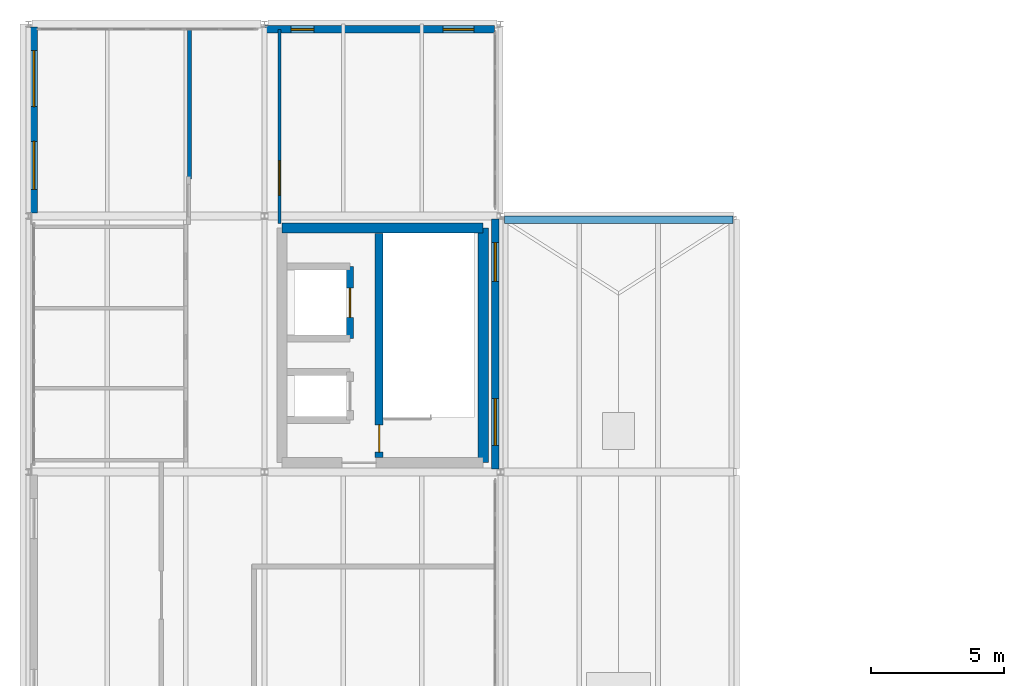
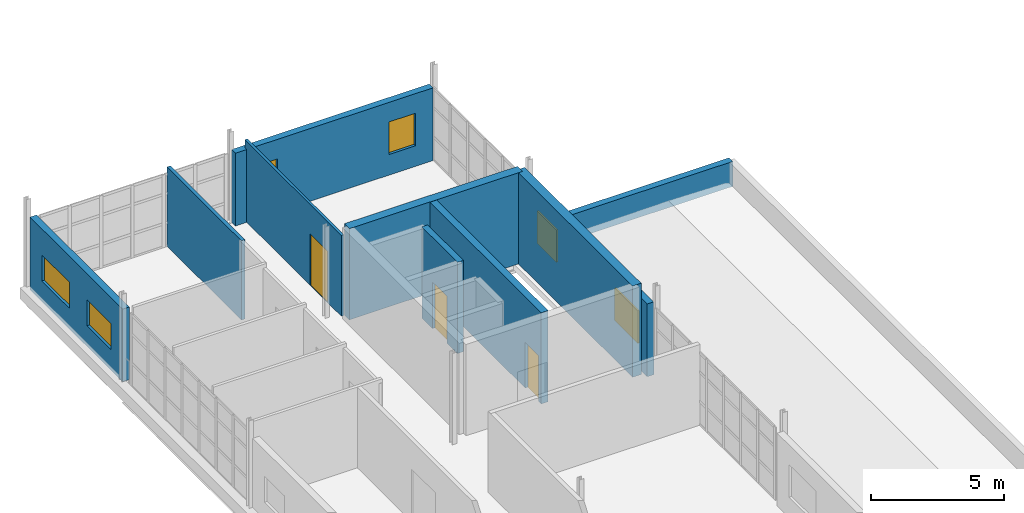
# One storey, part 14 of 16: 10 walls, 6 windows, 3 doors, 9 openings.
"""IFC4 building model written with IfcOpenShell, lengths in metres."""

from ifc_helpers import new_model, si_unit, direction, frame, frame_2d, origin, place, context, subcontext, project, spatial, rectangle, extrude, material, layer, layer_set, type_object, element, fill, save


model = new_model("IFC4")

# Units and contexts
model_context = context("Model", 3, precision=1e-05, world=origin(), true_north=direction((0.0, 1.0)))
body_context = subcontext(model_context, "Body", "Model", "MODEL_VIEW")
ifc_project = project(units=[si_unit("LENGTHUNIT", "METRE"), si_unit("AREAUNIT", "SQUARE_METRE"), si_unit("VOLUMEUNIT", "CUBIC_METRE"), si_unit("PLANEANGLEUNIT", "RADIAN"), si_unit("MASSUNIT", "GRAM", prefix="KILO")], contexts=[model_context])

# Site, building, storey
site_placement = place(None, origin())
site = spatial("IfcSite", under=ifc_project, at=site_placement, CompositionType="ELEMENT")
building_placement = place(site_placement, origin())
building = spatial("IfcBuilding", under=site, at=building_placement, Name="Yeouljin Market Hall", CompositionType="ELEMENT")
storey_placement = place(building_placement, frame((0.0, 0.0, 19.199951171875)))
storey = spatial("IfcBuildingStorey", under=building, at=storey_placement, Name="L04", CompositionType="ELEMENT", Elevation=19.199951171875)

# Wall
ifc_material_1 = material(Name="Gypsum Board Acoustic Partition")
ifc_layer_1 = layer(ifc_material_1, 0.14990234375)
ifc_layer_set_1 = layer_set([ifc_layer_1], Name="Gypsum Board Acoustic Partition")
wall_type_1 = type_object("IfcWallType", Name="Part_Classroom_150", PredefinedType="PARTITIONING", material=ifc_layer_set_1)
wall_1_placement = place(storey_placement, frame((6.0400390625, 30.18701171875, 0.0), z_axis=(0.0, 0.0, 1.0), x_axis=(0.0, 1.0, 0.0)))
element("IfcWall", 1, at=wall_1_placement, inside=storey, type_object=wall_type_1, Name="Interior partition PART-L04-0184", PredefinedType="PARTITIONING", context=body_context, shape_type="SweptSolid", body=[
    extrude(rectangle(XDim=5.613037109375, YDim=0.14990234375, at=frame_2d((2.806640625, 0.0))), origin(), (0.0, 0.0, 1.0), 3.650146484375),
])

# Wall, opening, door
ifc_material_2 = material(Name="Gypsum Board Partition")
ifc_layer_2 = layer(ifc_material_2, 0.110107421875)
ifc_layer_set_2 = layer_set([ifc_layer_2], Name="Gypsum Board Partition")
wall_type_2 = type_object("IfcWallType", Name="Part_Office_110", PredefinedType="PARTITIONING", material=ifc_layer_set_2)
wall_2_placement = place(storey_placement, frame((9.409912109375, 35.800048828125, 0.0), z_axis=(0.0, 0.0, 1.0), x_axis=(0.0, -1.0, 0.0)))
wall_2 = element("IfcWall", 2, at=wall_2_placement, inside=storey, type_object=wall_type_2, Name="Interior partition PART-L04-0185", PredefinedType="PARTITIONING", context=body_context, shape_type="SweptSolid", body=[
    extrude(rectangle(XDim=7.280029296875, YDim=0.110107421875, at=frame_2d((3.64013671875, 0.0))), origin(), (0.0, 0.0, 1.0), 3.719970703125),
])
opening_1_placement = place(wall_2_placement, frame((4.928955078125, 0.0, 0.0)))
opening_1 = element("IfcOpeningElement", 3, at=opening_1_placement, cuts=wall_2, Name="Opening D-L04-060", PredefinedType="OPENING", context=body_context, shape_type="SweptSolid", body=[
    extrude(rectangle(XDim=1.300048828125, YDim=2.360107421875, at=frame_2d((0.64990234375, 1.18017578125))), frame((0.0, 0.06494140625, 0.0), z_axis=(0.0, -1.0, 0.0), x_axis=(1.0, 0.0, 0.0)), (0.0, 0.0, 1.0), 0.130126953125),
])
ifc_material_3 = material(Name="Acoustic Timber Veneer", Category="wood")
door_type_1 = type_object("IfcDoorType", Name="DT-ID130T", OperationType="NOTDEFINED", PredefinedType="DOOR", material=ifc_material_3)
door_1_placement = place(opening_1_placement, origin())
door_1 = element("IfcDoor", 4, at=door_1_placement, inside=storey, type_object=door_type_1, Name="Interior door D-L04-060 (Market Guild Boardroom)", OperationType="SINGLE_SWING_RIGHT", OverallHeight=2.360107421875, OverallWidth=1.300048828125, PredefinedType="DOOR", context=body_context, shape_type="SweptSolid", body=[
    extrude(rectangle(XDim=1.300048828125, YDim=2.360107421875, at=frame_2d((0.64990234375, 1.18017578125))), frame((0.0, 0.02490234375, 0.0), z_axis=(0.0, -1.0, 0.0), x_axis=(1.0, 0.0, 0.0)), (0.0, 0.0, 1.0), 0.050048828125),
])
fill(opening_1, door_1)

ifc_material_4 = material(Name="Concrete C35/45", Category="concrete")
ifc_layer_3 = layer(ifc_material_4, 0.260009765625)
ifc_layer_set_3 = layer_set([ifc_layer_3], Name="Concrete C35/45")
wall_type_3 = type_object("IfcWallType", Name="Wall_Compartment_260", PredefinedType="SHEAR", material=ifc_layer_set_3)
wall_3_placement = place(storey_placement, frame((12.054931640625, 24.199951171875, 0.0), z_axis=(0.0, 0.0, 1.0), x_axis=(0.0, 1.0, 0.0)))
wall_3 = element("IfcWall", 5, at=wall_3_placement, inside=storey, type_object=wall_type_3, Name="Lift LS-01 hoistway front wall (L04)", PredefinedType="SHEAR", context=body_context, shape_type="SweptSolid", body=[
    extrude(rectangle(XDim=2.699951171875, YDim=0.260009765625, at=frame_2d((1.35009765625, 0.0))), origin(), (0.0, 0.0, 1.0), 4.199951171875),
])
opening_2_placement = place(wall_3_placement, frame((0.800048828125, 0.0, 0.0)))
opening_2 = element("IfcOpeningElement", 6, at=opening_2_placement, cuts=wall_3, Name="Opening LD-LS-01-L04", PredefinedType="OPENING", context=body_context, shape_type="SweptSolid", body=[
    extrude(rectangle(XDim=1.10009765625, YDim=2.14990234375, at=frame_2d((0.550048828125, 1.074951171875))), frame((0.0, 0.139892578125, 0.0), z_axis=(0.0, -1.0, 0.0), x_axis=(1.0, 0.0, 0.0)), (0.0, 0.0, 1.0), 0.280029296875),
])
ifc_material_5 = material(Name="Brushed Stainless Steel", Category="steel")
door_type_2 = type_object("IfcDoorType", Name="LD-110", OperationType="SLIDING_TO_LEFT", PredefinedType="DOOR", material=ifc_material_5)
door_2_placement = place(opening_2_placement, origin())
door_2 = element("IfcDoor", 7, at=door_2_placement, inside=storey, type_object=door_type_2, Name="Lift landing sliding door LD-LS-01-L04", OperationType="SLIDING_TO_LEFT", OverallHeight=2.14990234375, OverallWidth=1.10009765625, PredefinedType="DOOR", context=body_context, shape_type="SweptSolid", body=[
    extrude(rectangle(XDim=1.10009765625, YDim=2.14990234375, at=frame_2d((0.550048828125, 1.074951171875))), frame((0.0, 0.02490234375, 0.0), z_axis=(0.0, -1.0, 0.0), x_axis=(1.0, 0.0, 0.0)), (0.0, 0.0, 1.0), 0.050048828125),
])
fill(opening_2, door_2)

# Walls
ifc_material_6 = material(Name="Concrete C35/45", Category="concrete")
ifc_layer_4 = layer(ifc_material_6, 0.3798828125)
ifc_layer_set_4 = layer_set([ifc_layer_4], Name="Concrete C35/45")
wall_type_4 = type_object("IfcWallType", Name="Wall_CoreShear_380", PredefinedType="SHEAR", material=ifc_layer_set_4)
wall_4_placement = place(storey_placement, frame((17.050048828125, 28.35009765625, 0.0), z_axis=(0.0, 0.0, 1.0), x_axis=(-1.0, 0.0, 0.0)))
element("IfcWall", 8, at=wall_4_placement, inside=storey, type_object=wall_type_4, Name="Core C1 north shear wall (L04)", PredefinedType="SHEAR", context=body_context, shape_type="SweptSolid", body=[
    extrude(rectangle(XDim=7.550048828125, YDim=0.3798828125, at=frame_2d((3.77490234375, 0.0))), origin(), (0.0, 0.0, 1.0), 4.199951171875),
])
wall_5_placement = place(storey_placement, frame((17.050048828125, 19.550048828125, 0.0), z_axis=(0.0, 0.0, 1.0), x_axis=(0.0, 1.0, 0.0)))
element("IfcWall", 9, at=wall_5_placement, inside=storey, type_object=wall_type_4, Name="Core C1 east shear wall (L04)", PredefinedType="SHEAR", context=body_context, shape_type="SweptSolid", body=[
    extrude(rectangle(XDim=8.800048828125, YDim=0.3798828125, at=frame_2d((4.39990234375, 0.0))), origin(), (0.0, 0.0, 1.0), 4.199951171875),
])

# Wall, openings, windows
ifc_material_7 = material(Name="Clinker Brick Masonry F2-S2", Category="masonry")
ifc_layer_5 = layer(ifc_material_7, 0.2900390625)
ifc_layer_set_5 = layer_set([ifc_layer_5], Name="Clinker Brick Masonry F2-S2")
wall_type_5 = type_object("IfcWallType", Name="Wall_Ext_GableBrick_290", PredefinedType="SOLIDWALL", material=ifc_layer_set_5)
wall_6_placement = place(storey_placement, frame((0.199951171875, 28.906005859375, 0.0), z_axis=(0.0, 0.0, 1.0), x_axis=(0.0, 1.0, 0.0)))
wall_6 = element("IfcWall", 10, at=wall_6_placement, inside=storey, type_object=wall_type_5, Name="Exterior wall WE-L04-B06", PredefinedType="SOLIDWALL", context=body_context, shape_type="SweptSolid", body=[
    extrude(rectangle(XDim=6.986083984375, YDim=0.2900390625, at=frame_2d((3.4931640625, 0.0))), origin(), (0.0, 0.0, 1.0), 3.35009765625),
])
opening_3_placement = place(wall_6_placement, frame((0.89404296875, 0.0, 0.949951171875)))
opening_3 = element("IfcOpeningElement", 11, at=opening_3_placement, cuts=wall_6, Name="Opening WN-23", PredefinedType="OPENING", context=body_context, shape_type="SweptSolid", body=[
    extrude(rectangle(XDim=1.800048828125, YDim=1.199951171875, at=frame_2d((0.89990234375, 0.60009765625))), frame((0.0, 0.155029296875, 0.0), z_axis=(0.0, -1.0, 0.0), x_axis=(1.0, 0.0, 0.0)), (0.0, 0.0, 1.0), 0.31005859375),
])
opening_4_placement = place(wall_6_placement, frame((3.993896484375, 0.0, 0.949951171875)))
opening_4 = element("IfcOpeningElement", 12, at=opening_4_placement, cuts=wall_6, Name="Opening WN-24", PredefinedType="OPENING", context=body_context, shape_type="SweptSolid", body=[
    extrude(rectangle(XDim=2.10009765625, YDim=1.199951171875, at=frame_2d((1.050048828125, 0.60009765625))), frame((0.0, 0.155029296875, 0.0), z_axis=(0.0, -1.0, 0.0), x_axis=(1.0, 0.0, 0.0)), (0.0, 0.0, 1.0), 0.31005859375),
])
ifc_material_8 = material(Name="Low-E Insulated Glass", Category="glass")
window_type_1 = type_object("IfcWindowType", Name="Win_Ladder_1800x1200", PartitioningType="TRIPLE_PANEL_VERTICAL", PredefinedType="WINDOW", material=ifc_material_8)
window_1_placement = place(opening_3_placement, origin())
window_1 = element("IfcWindow", 13, at=window_1_placement, inside=storey, type_object=window_type_1, Name="Exterior window WIN-L04-B06A", OverallHeight=1.199951171875, OverallWidth=1.800048828125, PartitioningType="SINGLE_PANEL", PredefinedType="WINDOW", context=body_context, shape_type="SweptSolid", body=[
    extrude(rectangle(XDim=1.800048828125, YDim=1.199951171875, at=frame_2d((0.89990234375, 0.60009765625))), frame((0.0, 0.030029296875, 0.0), z_axis=(0.0, -1.0, 0.0), x_axis=(1.0, 0.0, 0.0)), (0.0, 0.0, 1.0), 0.06005859375),
])
fill(opening_3, window_1)
ifc_material_9 = material(Name="Low-E Insulated Glass", Category="glass")
window_type_2 = type_object("IfcWindowType", Name="Win_Ladder_2100x1200", PartitioningType="TRIPLE_PANEL_VERTICAL", PredefinedType="WINDOW", material=ifc_material_9)
window_2_placement = place(opening_4_placement, origin())
window_2 = element("IfcWindow", 14, at=window_2_placement, inside=storey, type_object=window_type_2, Name="Exterior window WIN-L04-B06B", OverallHeight=1.199951171875, OverallWidth=2.10009765625, PartitioningType="SINGLE_PANEL", PredefinedType="WINDOW", context=body_context, shape_type="SweptSolid", body=[
    extrude(rectangle(XDim=2.10009765625, YDim=1.199951171875, at=frame_2d((1.050048828125, 0.60009765625))), frame((0.0, 0.030029296875, 0.0), z_axis=(0.0, -1.0, 0.0), x_axis=(1.0, 0.0, 0.0)), (0.0, 0.0, 1.0), 0.06005859375),
])
fill(opening_4, window_2)

wall_7_placement = place(storey_placement, frame((8.860107421875, 35.800048828125, 0.0), z_axis=(0.0, 0.0, 1.0), x_axis=(1.0, 0.0, 0.0)))
wall_7 = element("IfcWall", 15, at=wall_7_placement, inside=storey, type_object=wall_type_5, Name="Exterior wall WE-L04-B08", PredefinedType="SOLIDWALL", context=body_context, shape_type="SweptSolid", body=[
    extrude(rectangle(XDim=8.61181640625, YDim=0.2900390625, at=frame_2d((4.305908203125, 0.0))), origin(), (0.0, 0.0, 1.0), 3.35009765625),
])
opening_5_placement = place(wall_7_placement, frame((0.989990234375, 0.0, 0.949951171875)))
opening_5 = element("IfcOpeningElement", 16, at=opening_5_placement, cuts=wall_7, Name="Opening WN-31", PredefinedType="OPENING", context=body_context, shape_type="SweptSolid", body=[
    extrude(rectangle(XDim=0.85009765625, YDim=1.5, at=frame_2d((0.425048828125, 0.75))), frame((0.0, 0.155029296875, 0.0), z_axis=(0.0, -1.0, 0.0), x_axis=(1.0, 0.0, 0.0)), (0.0, 0.0, 1.0), 0.31005859375),
])
opening_6_placement = place(wall_7_placement, frame((6.68994140625, 0.0, 0.949951171875)))
opening_6 = element("IfcOpeningElement", 17, at=opening_6_placement, cuts=wall_7, Name="Opening WN-32", PredefinedType="OPENING", context=body_context, shape_type="SweptSolid", body=[
    extrude(rectangle(XDim=1.14990234375, YDim=1.5, at=frame_2d((0.574951171875, 0.75))), frame((0.0, 0.155029296875, 0.0), z_axis=(0.0, -1.0, 0.0), x_axis=(1.0, 0.0, 0.0)), (0.0, 0.0, 1.0), 0.31005859375),
])
ifc_material_10 = material(Name="Low-E Insulated Glass", Category="glass")
window_type_3 = type_object("IfcWindowType", Name="Win_Ladder_1150x1500", PartitioningType="DOUBLE_PANEL_HORIZONTAL", PredefinedType="WINDOW", material=ifc_material_10)
window_3_placement = place(opening_6_placement, origin())
window_3 = element("IfcWindow", 18, at=window_3_placement, inside=storey, type_object=window_type_3, Name="Exterior window WIN-L04-B08B", OverallHeight=1.5, OverallWidth=1.14990234375, PartitioningType="SINGLE_PANEL", PredefinedType="WINDOW", context=body_context, shape_type="SweptSolid", body=[
    extrude(rectangle(XDim=1.14990234375, YDim=1.5, at=frame_2d((0.574951171875, 0.75))), frame((0.0, 0.030029296875, 0.0), z_axis=(0.0, -1.0, 0.0), x_axis=(1.0, 0.0, 0.0)), (0.0, 0.0, 1.0), 0.06005859375),
])
fill(opening_6, window_3)
ifc_material_11 = material(Name="Low-E Insulated Glass", Category="glass")
window_type_4 = type_object("IfcWindowType", Name="Win_Ladder_850x1500", PartitioningType="DOUBLE_PANEL_HORIZONTAL", PredefinedType="WINDOW", material=ifc_material_11)
window_4_placement = place(opening_5_placement, origin())
window_4 = element("IfcWindow", 19, at=window_4_placement, inside=storey, type_object=window_type_4, Name="Exterior window WIN-L04-B08A", OverallHeight=1.5, OverallWidth=0.85009765625, PartitioningType="SINGLE_PANEL", PredefinedType="WINDOW", context=body_context, shape_type="SweptSolid", body=[
    extrude(rectangle(XDim=0.85009765625, YDim=1.5, at=frame_2d((0.425048828125, 0.75))), frame((0.0, 0.030029296875, 0.0), z_axis=(0.0, -1.0, 0.0), x_axis=(1.0, 0.0, 0.0)), (0.0, 0.0, 1.0), 0.06005859375),
])
fill(opening_5, window_4)

wall_8_placement = place(storey_placement, frame((17.5, 28.694091796875, 0.0), z_axis=(0.0, 0.0, 1.0), x_axis=(0.0, -1.0, 0.0)))
wall_8 = element("IfcWall", 20, at=wall_8_placement, inside=storey, type_object=wall_type_5, Name="Exterior wall WE-L04-B10", PredefinedType="SOLIDWALL", context=body_context, shape_type="SweptSolid", body=[
    extrude(rectangle(XDim=9.38818359375, YDim=0.2900390625, at=frame_2d((4.694091796875, 0.0))), origin(), (0.0, 0.0, 1.0), 3.35009765625),
])
opening_7_placement = place(wall_8_placement, frame((0.89404296875, 0.0, 0.949951171875)))
opening_7 = element("IfcOpeningElement", 21, at=opening_7_placement, cuts=wall_8, Name="Opening WN-33", PredefinedType="OPENING", context=body_context, shape_type="SweptSolid", body=[
    extrude(rectangle(XDim=1.449951171875, YDim=1.5, at=frame_2d((0.72509765625, 0.75))), frame((0.0, 0.155029296875, 0.0), z_axis=(0.0, -1.0, 0.0), x_axis=(1.0, 0.0, 0.0)), (0.0, 0.0, 1.0), 0.31005859375),
])
opening_8_placement = place(wall_8_placement, frame((6.743896484375, 0.0, 0.949951171875)))
opening_8 = element("IfcOpeningElement", 22, at=opening_8_placement, cuts=wall_8, Name="Opening WN-34", PredefinedType="OPENING", context=body_context, shape_type="SweptSolid", body=[
    extrude(rectangle(XDim=1.75, YDim=1.5, at=frame_2d((0.875, 0.75))), frame((0.0, 0.155029296875, 0.0), z_axis=(0.0, -1.0, 0.0), x_axis=(1.0, 0.0, 0.0)), (0.0, 0.0, 1.0), 0.31005859375),
])
ifc_material_12 = material(Name="Low-E Insulated Glass", Category="glass")
window_type_5 = type_object("IfcWindowType", Name="Win_Ladder_1450x1500", PartitioningType="DOUBLE_PANEL_HORIZONTAL", PredefinedType="WINDOW", material=ifc_material_12)
window_5_placement = place(opening_7_placement, origin())
window_5 = element("IfcWindow", 23, at=window_5_placement, inside=storey, type_object=window_type_5, Name="Exterior window WIN-L04-B10A", OverallHeight=1.5, OverallWidth=1.449951171875, PartitioningType="SINGLE_PANEL", PredefinedType="WINDOW", context=body_context, shape_type="SweptSolid", body=[
    extrude(rectangle(XDim=1.449951171875, YDim=1.5, at=frame_2d((0.72509765625, 0.75))), frame((0.0, 0.030029296875, 0.0), z_axis=(0.0, -1.0, 0.0), x_axis=(1.0, 0.0, 0.0)), (0.0, 0.0, 1.0), 0.06005859375),
])
fill(opening_7, window_5)
ifc_material_13 = material(Name="Low-E Insulated Glass", Category="glass")
window_type_6 = type_object("IfcWindowType", Name="Win_Ladder_1750x1500", PartitioningType="DOUBLE_PANEL_HORIZONTAL", PredefinedType="WINDOW", material=ifc_material_13)
window_6_placement = place(opening_8_placement, origin())
window_6 = element("IfcWindow", 24, at=window_6_placement, inside=storey, type_object=window_type_6, Name="Exterior window WIN-L04-B10B", OverallHeight=1.5, OverallWidth=1.75, PartitioningType="SINGLE_PANEL", PredefinedType="WINDOW", context=body_context, shape_type="SweptSolid", body=[
    extrude(rectangle(XDim=1.75, YDim=1.5, at=frame_2d((0.875, 0.75))), frame((0.0, 0.030029296875, 0.0), z_axis=(0.0, -1.0, 0.0), x_axis=(1.0, 0.0, 0.0)), (0.0, 0.0, 1.0), 0.06005859375),
])
fill(opening_8, window_6)

# Wall
ifc_material_14 = material(Name="Clinker Brick Masonry F2-S2", Category="masonry")
ifc_layer_6 = layer(ifc_material_14, 0.280029296875)
ifc_layer_set_6 = layer_set([ifc_layer_6], Name="Clinker Brick Masonry F2-S2")
wall_type_6 = type_object("IfcWallType", Name="Wall_Parapet_Clinker_280", PredefinedType="PARAPET", material=ifc_layer_set_6)
wall_9_placement = place(storey_placement, frame((26.409912109375, 28.659912109375, 0.010009765625), z_axis=(0.0, 0.0, 1.0), x_axis=(-1.0, 0.0, 0.0)))
element("IfcWall", 25, at=wall_9_placement, inside=storey, type_object=wall_type_6, Name="Roof parapet RSLB-V2-L03S-3", PredefinedType="PARAPET", context=body_context, shape_type="SweptSolid", body=[
    extrude(rectangle(XDim=8.56982421875, YDim=0.280029296875, at=frame_2d((4.284912109375, 0.0))), origin(), (0.0, 0.0, 1.0), 1.150146484375),
])

# Wall, opening, door
ifc_material_15 = material(Name="Concrete C35/45", Category="concrete")
ifc_layer_7 = layer(ifc_material_15, 0.300048828125)
ifc_layer_set_7 = layer_set([ifc_layer_7], Name="Concrete C35/45")
wall_type_7 = type_object("IfcWallType", Name="Wall_ShaftShear_300", PredefinedType="SHEAR", material=ifc_layer_set_7)
wall_10_placement = place(storey_placement, frame((13.14990234375, 19.75, 0.0), z_axis=(0.0, 0.0, 1.0), x_axis=(0.0, 1.0, 0.0)))
wall_10 = element("IfcWall", 26, at=wall_10_placement, inside=storey, type_object=wall_type_7, Name="Core C1 stairwell divider wall (L04)", PredefinedType="SHEAR", context=body_context, shape_type="SweptSolid", body=[
    extrude(rectangle(XDim=8.39990234375, YDim=0.300048828125, at=frame_2d((4.199951171875, 0.0))), origin(), (0.0, 0.0, 1.0), 4.199951171875),
])
opening_9_placement = place(wall_10_placement, frame((0.199951171875, 0.0, 0.0)))
opening_9 = element("IfcOpeningElement", 27, at=opening_9_placement, cuts=wall_10, Name="Opening SD-C1-L04", PredefinedType="OPENING", context=body_context, shape_type="SweptSolid", body=[
    extrude(rectangle(XDim=1.02001953125, YDim=2.10009765625, at=frame_2d((0.510009765625, 1.050048828125))), frame((0.0, 0.159912109375, 0.0), z_axis=(0.0, -1.0, 0.0), x_axis=(1.0, 0.0, 0.0)), (0.0, 0.0, 1.0), 0.320068359375),
])
ifc_material_16 = material(Name="Painted Fire-Rated Steel", Category="steel")
door_type_3 = type_object("IfcDoorType", Name="DT-FD102", OperationType="NOTDEFINED", PredefinedType="DOOR", material=ifc_material_16)
door_3_placement = place(opening_9_placement, origin())
door_3 = element("IfcDoor", 28, at=door_3_placement, inside=storey, type_object=door_type_3, Name="Core C1 exit stair door (L04)", OperationType="SINGLE_SWING_RIGHT", OverallHeight=2.10009765625, OverallWidth=1.02001953125, PredefinedType="DOOR", context=body_context, shape_type="SweptSolid", body=[
    extrude(rectangle(XDim=1.02001953125, YDim=2.10009765625, at=frame_2d((0.510009765625, 1.050048828125))), frame((0.0, 0.02490234375, 0.0), z_axis=(0.0, -1.0, 0.0), x_axis=(1.0, 0.0, 0.0)), (0.0, 0.0, 1.0), 0.050048828125),
])
fill(opening_9, door_3)

save(model, "model.ifc")
